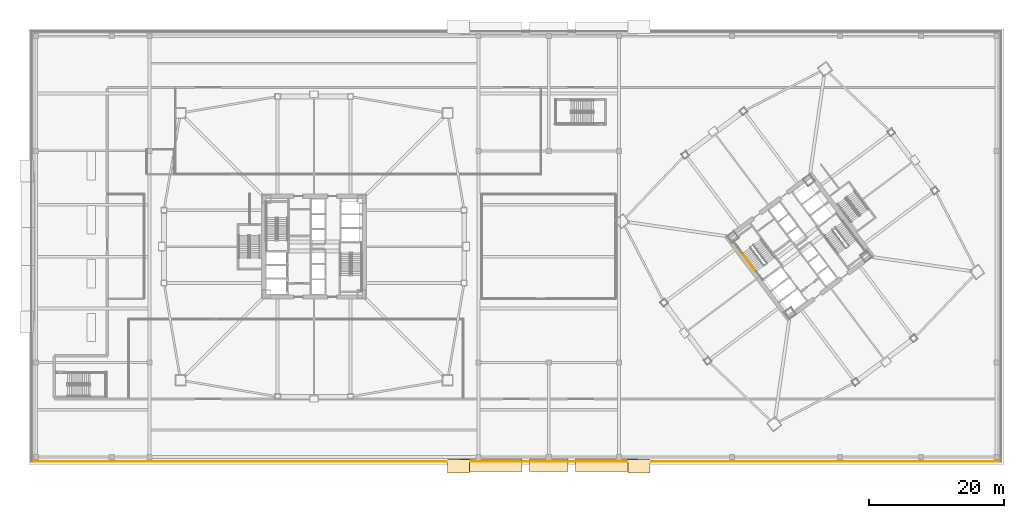
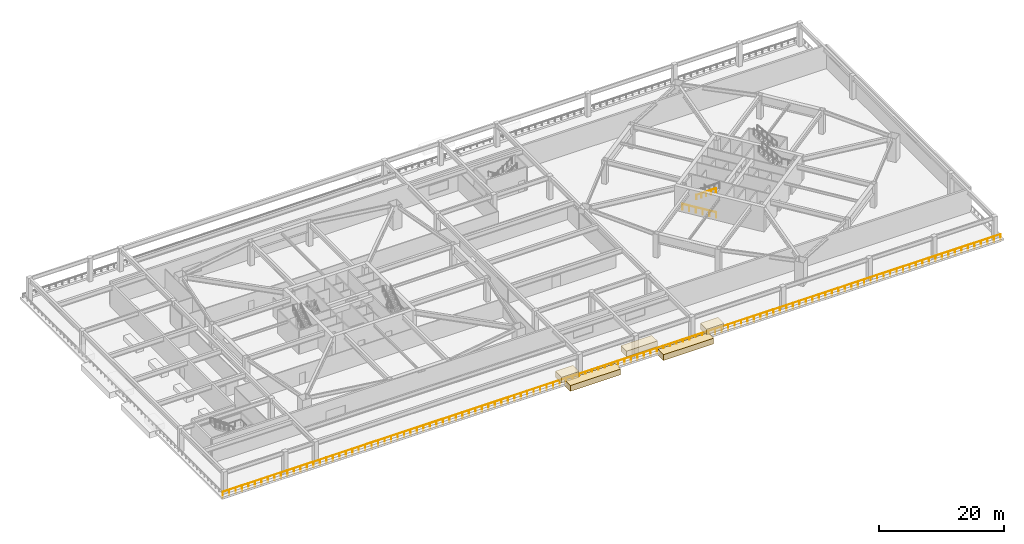
# One storey, part 17 of 21: 5 coverings, 3 railings.
"""IFC4 building model written with IfcOpenShell, lengths in metres."""

import ifcopenshell
import ifcopenshell.guid

model = None  # the IFC model being written
_history = None  # IfcOwnerHistory: only IFC2X3 demands one
_inside = {}  # id of a spatial element -> (the spatial element, [elements in it])
_under = {}  # id of a project, library or spatial element -> (it, [spatial elements below it])
_declared = {}  # id of a project -> (the project, [libraries it declares])
_typed = {}  # id of a type object -> (the type object, [elements of that type])
_made_of = {}  # id of a material, layer set ... -> (it, [elements and type objects made of it])


def new_model(schema):
    """Start an empty IFC model of exactly this schema.

    Asked for "IFC4X3", IfcOpenShell would pick the latest addendum, in which some entities
    have other attributes; the version numbers below select the first issue.
    IFC2X3 requires an IfcOwnerHistory on every rooted entity: one is made here for all.
    """
    global model, _history
    if schema == "IFC4X3":
        model = ifcopenshell.file(schema_version=(4, 3, 0, 0))
    else:
        model = ifcopenshell.file(schema=schema)
    _inside.clear()
    _under.clear()
    _declared.clear()
    _typed.clear()
    _made_of.clear()
    _history = None
    if model.schema == "IFC2X3":
        org = make("IfcOrganization", Name="unknown")
        user = make(
            "IfcPersonAndOrganization",
            ThePerson=make("IfcPerson", FamilyName="unknown"),
            TheOrganization=org,
        )
        app = make(
            "IfcApplication",
            ApplicationDeveloper=org,
            Version="unknown",
            ApplicationFullName="unknown",
            ApplicationIdentifier="unknown",
        )
        _history = make(
            "IfcOwnerHistory",
            OwningUser=user,
            OwningApplication=app,
            ChangeAction="ADDED",
            CreationDate=0,
        )
    return model


def make(cls, **values):
    """One entity of the class cls with the attributes given. An attribute that is None is left unset."""
    return model.create_entity(
        cls, **{name: value for name, value in values.items() if value is not None}
    )


def rooted(cls, **values):
    """An entity with a GlobalId (a new one), such as an element, a storey or a relation."""
    return make(cls, GlobalId=ifcopenshell.guid.new(), OwnerHistory=_history, **values)


def si_unit(unit_type, name, prefix=None):
    """IfcSIUnit, for example si_unit("LENGTHUNIT", "METRE", prefix="MILLI")."""
    return make("IfcSIUnit", UnitType=unit_type, Prefix=prefix, Name=name)


def assignment(units):
    """IfcUnitAssignment: the units of a project."""
    return None if units is None else make("IfcUnitAssignment", Units=units)


def point(xyz):
    """IfcCartesianPoint."""
    return None if xyz is None else make("IfcCartesianPoint", Coordinates=xyz)


def direction(xyz):
    """IfcDirection."""
    return None if xyz is None else make("IfcDirection", DirectionRatios=xyz)


def frame(location, z_axis=None, x_axis=None):
    """IfcAxis2Placement3D, a coordinate frame: its origin and axes. An axis left out is left unset."""
    return make(
        "IfcAxis2Placement3D",
        Location=point(location),
        Axis=direction(z_axis),
        RefDirection=direction(x_axis),
    )


def frame_2d(location, x_axis=None):
    """IfcAxis2Placement2D, a coordinate frame in the plane: its origin and x axis."""
    return make(
        "IfcAxis2Placement2D", Location=point(location), RefDirection=direction(x_axis)
    )


def origin():
    """The frame at (0, 0, 0) with its axes left unset."""
    return frame((0.0, 0.0, 0.0))


def origin_2d():
    """The frame at (0, 0) in the plane with its x axis left unset."""
    return frame_2d((0.0, 0.0))


def place(relative_to, where):
    """IfcLocalPlacement: puts the frame where relative to a parent placement (None: the world)."""
    return make(
        "IfcLocalPlacement", PlacementRelTo=relative_to, RelativePlacement=where
    )


def context(
    kind, dimensions, precision=None, world=None, true_north=None, identifier=None
):
    """IfcGeometricRepresentationContext, for example the 3D "Model" context."""
    return make(
        "IfcGeometricRepresentationContext",
        ContextIdentifier=identifier,
        ContextType=kind,
        CoordinateSpaceDimension=dimensions,
        Precision=precision,
        WorldCoordinateSystem=world,
        TrueNorth=true_north,
    )


def subcontext(parent, identifier, kind, view, scale=None):
    """IfcGeometricRepresentationSubContext, for example "Body" below "Model"."""
    return make(
        "IfcGeometricRepresentationSubContext",
        ContextIdentifier=identifier,
        ContextType=kind,
        ParentContext=parent,
        TargetScale=scale,
        TargetView=view,
    )


def project(units=None, contexts=None):
    """IfcProject with its units and contexts."""
    return rooted(
        "IfcProject",
        Name="project",
        RepresentationContexts=contexts,
        UnitsInContext=assignment(units),
    )


def spatial(cls, under=None, at=None, **own):
    """A site, building, storey or space (cls), placed at a placement, below another one or the project."""
    s = rooted(cls, ObjectPlacement=at, **own)
    if under is not None:
        _under.setdefault(under.id(), (under, []))[1].append(s)
    return s


def profile(cls, at=None, kind="AREA", **sizes):
    """A parametric profile (cls). Its sizes go by their IFC names, for example OverallWidth=200.0."""
    return make(cls, ProfileType=kind, Position=at, **sizes)


def rectangle(**sizes):
    """IfcRectangleProfileDef."""
    return profile("IfcRectangleProfileDef", **sizes)


def extrude(swept, where, along, depth):
    """IfcExtrudedAreaSolid: the profile swept, set in the frame where, extruded along a direction by depth."""
    return make(
        "IfcExtrudedAreaSolid",
        SweptArea=swept,
        Position=where,
        ExtrudedDirection=direction(along),
        Depth=depth,
    )


def shape(context_of_items, identifier, shape_type, items):
    """IfcShapeRepresentation: the items that make up one representation, for example the "Body"."""
    return make(
        "IfcShapeRepresentation",
        ContextOfItems=context_of_items,
        RepresentationIdentifier=identifier,
        RepresentationType=shape_type,
        Items=items,
    )


def material(Name=None, Category=None):
    """IfcMaterial."""
    return make("IfcMaterial", Name=Name, Category=Category)


def layer(
    of_material, thickness, ventilated=None, Name=None, Category=None, Priority=None
):
    """IfcMaterialLayer: one layer of a wall or slab, of a material (None: an air gap)."""
    return make(
        "IfcMaterialLayer",
        Material=of_material,
        LayerThickness=thickness,
        IsVentilated=ventilated,
        Name=Name,
        Category=Category,
        Priority=Priority,
    )


def layer_set(layers, Name=None):
    """IfcMaterialLayerSet."""
    return make("IfcMaterialLayerSet", MaterialLayers=layers, LayerSetName=Name)


def made_of(thing, what):
    """Note that an element or type object is made of a material, layer set ...; save() writes the relation."""
    if what is not None:
        _made_of.setdefault(what.id(), (what, []))[1].append(thing)
    return thing


def type_object(cls, material=None, **own):
    """A type object (cls), such as IfcWallType, which elements share."""
    return made_of(rooted(cls, **own), material)


def element(
    cls,
    number,
    at=None,
    inside=None,
    cuts=None,
    type_object=None,
    material=None,
    context=None,
    identifier="Body",
    shape_type=None,
    held_by="IfcProductDefinitionShape",
    body=None,
    shapes=None,
    **own,
):
    """One element of the class cls, such as IfcWall. Its Tag is "e" and its number.

    at: its placement. inside: the storey or other place that contains it. cuts: it is an
    opening in that element (IfcRelVoidsElement). A single representation is given by context,
    identifier, shape_type and body (its items); several are given by shapes. held_by: the class
    of the entity that holds the representations. save() writes the other relations.
    """
    e = rooted(cls, Tag="e%d" % number, ObjectPlacement=at, **own)
    if body is not None:
        shapes = [shape(context, identifier, shape_type, body)]
    if shapes is not None:
        e.Representation = make(held_by, Representations=shapes)
    if inside is not None:
        _inside.setdefault(inside.id(), (inside, []))[1].append(e)
    if cuts is not None:
        rooted(
            "IfcRelVoidsElement", RelatingBuildingElement=cuts, RelatedOpeningElement=e
        )
    if type_object is not None:
        _typed.setdefault(type_object.id(), (type_object, []))[1].append(e)
    return made_of(e, material)


def aggregate(whole, parts):
    """IfcRelAggregates: a whole, such as a stair, and the parts it consists of."""
    return rooted("IfcRelAggregates", RelatingObject=whole, RelatedObjects=parts)


def save(model, path):
    """Write the relations noted so far, then the file.

    IfcRelAggregates (storeys below a building ...), IfcRelContainedInSpatialStructure (elements
    in a storey), IfcRelDefinesByType, IfcRelAssociatesMaterial and IfcRelDeclares: one each for
    every whole, place, type object, material and project.
    """
    for whole, parts in _under.values():
        aggregate(whole, parts)
    for where, things in _inside.values():
        rooted(
            "IfcRelContainedInSpatialStructure",
            RelatedElements=things,
            RelatingStructure=where,
        )
    for kind, things in _typed.values():
        rooted("IfcRelDefinesByType", RelatedObjects=things, RelatingType=kind)
    for what, things in _made_of.values():
        rooted("IfcRelAssociatesMaterial", RelatedObjects=things, RelatingMaterial=what)
    for by, libraries in _declared.values():
        rooted("IfcRelDeclares", RelatingContext=by, RelatedDefinitions=libraries)
    model.write(path)


model = new_model("IFC4")

# Units and contexts
model_context = context("Model", 3, precision=1e-05, world=origin(), true_north=direction((0.0, 1.0)))
body_context = subcontext(model_context, "Body", "Model", "MODEL_VIEW")
ifc_project = project(units=[si_unit("LENGTHUNIT", "METRE"), si_unit("AREAUNIT", "SQUARE_METRE"), si_unit("VOLUMEUNIT", "CUBIC_METRE"), si_unit("PLANEANGLEUNIT", "RADIAN"), si_unit("MASSUNIT", "GRAM", prefix="KILO")], contexts=[model_context])

# Site, building, storey
site_placement = place(None, origin())
site = spatial("IfcSite", under=ifc_project, at=site_placement, CompositionType="ELEMENT")
building_placement = place(site_placement, origin())
building = spatial("IfcBuilding", under=site, at=building_placement, Name="Tashvorn Skyway Center", CompositionType="ELEMENT")
storey_placement = place(building_placement, frame((0.0, 0.0, 19.800048828125)))
storey = spatial("IfcBuildingStorey", under=building, at=storey_placement, Name="L04", CompositionType="ELEMENT", Elevation=19.800048828125)

# Coverings
ifc_material_1 = material(Name="Precast concrete C40/50", Category="concrete")
ifc_layer = layer(ifc_material_1, 0.35009765625)
ifc_layer_set = layer_set([ifc_layer], Name="Precast concrete C40/50")
covering_type = type_object("IfcCoveringType", Name="COV-STONE-TRIM", PredefinedType="CLADDING", material=ifc_layer_set)
for number, where, z_axis, x_axis, name in (
    (1, (63.39990234375, -0.60009765625, 1.77490234375), (0.0, 0.0, 1.0), (1.0, 0.0, 0.0), "Station Pylon Terracotta Capital SOUTH 1"),
    (2, (90.199951171875, -0.60009765625, 1.77490234375), (0.0, 0.0, 1.0), (1.0, 0.0, 0.0), "Station Pylon Terracotta Capital SOUTH 2"),
):
    element("IfcCovering", number, at=place(storey_placement, frame(where, z_axis=z_axis, x_axis=x_axis)), inside=storey, type_object=covering_type, Name=name, PredefinedType="CLADDING", context=body_context, shape_type="SweptSolid", body=[
        extrude(rectangle(XDim=3.25, YDim=2.0, at=origin_2d()), origin(), (0.0, 0.0, 1.0), 1.14990234375),
    ])
for number, where, z_axis, x_axis, name in (
    (3, (68.199951171875, -0.419921875, -0.610107421875), (0.0, 0.0, 1.0), (1.0, 0.0, 0.0), "Station Split-Pediment Terracotta Crest SOUTH L"),
    (4, (85.39990234375, -0.419921875, -0.610107421875), (0.0, 0.0, 1.0), (1.0, 0.0, 0.0), "Station Split-Pediment Terracotta Crest SOUTH R"),
):
    element("IfcCovering", number, at=place(storey_placement, frame(where, z_axis=z_axis, x_axis=x_axis)), inside=storey, type_object=covering_type, Name=name, PredefinedType="CLADDING", context=body_context, shape_type="SweptSolid", body=[
        extrude(rectangle(XDim=9.300048828125, YDim=1.800048828125, at=origin_2d()), origin(), (0.0, 0.0, 1.0), 1.1201171875),
    ])
covering_placement = place(storey_placement, frame((76.800048828125, -0.419921875, 2.489990234375), z_axis=(0.0, 0.0, 1.0), x_axis=(1.0, 0.0, 0.0)))
element("IfcCovering", 5, at=covering_placement, inside=storey, type_object=covering_type, Name="Station Split-Pediment Terracotta Crest SOUTH KEY", PredefinedType="CLADDING", context=body_context, shape_type="SweptSolid", body=[
    extrude(rectangle(XDim=5.699951171875, YDim=1.800048828125, at=origin_2d()), origin(), (0.0, 0.0, 1.0), 1.1201171875),
])

# Railings
ifc_material_2 = material(Name="Galvanized steel S355", Category="steel")
railing_type_1 = type_object("IfcRailingType", Name="RAIL-GUARD-1120", PredefinedType="GUARDRAIL", material=ifc_material_2)
railing_1_placement = place(storey_placement, frame((0.1201171875, 0.1201171875, 0.0)))
element("IfcRailing", 6, at=railing_1_placement, inside=storey, type_object=railing_type_1, Name="L04 Stepped Podium Colonnade Terrace Guardrail 01", PredefinedType="GUARDRAIL", context=body_context, shape_type="SweptSolid", body=[
    extrude(rectangle(XDim=0.048095703125, YDim=0.048095703125, at=origin_2d()), frame((0.0, 0.0, 1.09619140625), z_axis=(1.0, 0.0, 0.0), x_axis=(0.0, 1.0, 0.0)), (0.0, 0.0, 1.0), 143.759765625),
    extrude(rectangle(XDim=0.0419921875, YDim=0.0419921875, at=origin_2d()), origin(), (0.0, 0.0, 1.0), 1.072021484375),
    extrude(rectangle(XDim=0.0419921875, YDim=0.0419921875, at=origin_2d()), frame((1.197998046875, 0.0, 0.0)), (0.0, 0.0, 1.0), 1.072021484375),
    extrude(rectangle(XDim=0.0419921875, YDim=0.0419921875, at=origin_2d()), frame((2.39599609375, 0.0, 0.0)), (0.0, 0.0, 1.0), 1.072021484375),
    extrude(rectangle(XDim=0.0419921875, YDim=0.0419921875, at=origin_2d()), frame((3.593994140625, 0.0, 0.0)), (0.0, 0.0, 1.0), 1.072021484375),
    extrude(rectangle(XDim=0.0419921875, YDim=0.0419921875, at=origin_2d()), frame((4.7919921875, 0.0, 0.0)), (0.0, 0.0, 1.0), 1.072021484375),
    extrude(rectangle(XDim=0.0419921875, YDim=0.0419921875, at=origin_2d()), frame((5.989990234375, 0.0, 0.0)), (0.0, 0.0, 1.0), 1.072021484375),
    extrude(rectangle(XDim=0.0419921875, YDim=0.0419921875, at=origin_2d()), frame((7.18798828125, 0.0, 0.0)), (0.0, 0.0, 1.0), 1.072021484375),
    extrude(rectangle(XDim=0.0419921875, YDim=0.0419921875, at=origin_2d()), frame((8.385986328125, 0.0, 0.0)), (0.0, 0.0, 1.0), 1.072021484375),
    extrude(rectangle(XDim=0.0419921875, YDim=0.0419921875, at=origin_2d()), frame((9.583984375, 0.0, 0.0)), (0.0, 0.0, 1.0), 1.072021484375),
    extrude(rectangle(XDim=0.0419921875, YDim=0.0419921875, at=origin_2d()), frame((10.781982421875, 0.0, 0.0)), (0.0, 0.0, 1.0), 1.072021484375),
    extrude(rectangle(XDim=0.0419921875, YDim=0.0419921875, at=origin_2d()), frame((11.97998046875, 0.0, 0.0)), (0.0, 0.0, 1.0), 1.072021484375),
    extrude(rectangle(XDim=0.0419921875, YDim=0.0419921875, at=origin_2d()), frame((13.177978515625, 0.0, 0.0)), (0.0, 0.0, 1.0), 1.072021484375),
    extrude(rectangle(XDim=0.0419921875, YDim=0.0419921875, at=origin_2d()), frame((14.3759765625, 0.0, 0.0)), (0.0, 0.0, 1.0), 1.072021484375),
    extrude(rectangle(XDim=0.0419921875, YDim=0.0419921875, at=origin_2d()), frame((15.573974609375, 0.0, 0.0)), (0.0, 0.0, 1.0), 1.072021484375),
    extrude(rectangle(XDim=0.0419921875, YDim=0.0419921875, at=origin_2d()), frame((16.77197265625, 0.0, 0.0)), (0.0, 0.0, 1.0), 1.072021484375),
    extrude(rectangle(XDim=0.0419921875, YDim=0.0419921875, at=origin_2d()), frame((17.969970703125, 0.0, 0.0)), (0.0, 0.0, 1.0), 1.072021484375),
    extrude(rectangle(XDim=0.0419921875, YDim=0.0419921875, at=origin_2d()), frame((19.16796875, 0.0, 0.0)), (0.0, 0.0, 1.0), 1.072021484375),
    extrude(rectangle(XDim=0.0419921875, YDim=0.0419921875, at=origin_2d()), frame((20.365966796875, 0.0, 0.0)), (0.0, 0.0, 1.0), 1.072021484375),
    extrude(rectangle(XDim=0.0419921875, YDim=0.0419921875, at=origin_2d()), frame((21.56396484375, 0.0, 0.0)), (0.0, 0.0, 1.0), 1.072021484375),
    extrude(rectangle(XDim=0.0419921875, YDim=0.0419921875, at=origin_2d()), frame((22.761962890625, 0.0, 0.0)), (0.0, 0.0, 1.0), 1.072021484375),
    extrude(rectangle(XDim=0.0419921875, YDim=0.0419921875, at=origin_2d()), frame((23.9599609375, 0.0, 0.0)), (0.0, 0.0, 1.0), 1.072021484375),
    extrude(rectangle(XDim=0.0419921875, YDim=0.0419921875, at=origin_2d()), frame((25.157958984375, 0.0, 0.0)), (0.0, 0.0, 1.0), 1.072021484375),
    extrude(rectangle(XDim=0.0419921875, YDim=0.0419921875, at=origin_2d()), frame((26.35595703125, 0.0, 0.0)), (0.0, 0.0, 1.0), 1.072021484375),
    extrude(rectangle(XDim=0.0419921875, YDim=0.0419921875, at=origin_2d()), frame((27.553955078125, 0.0, 0.0)), (0.0, 0.0, 1.0), 1.072021484375),
    extrude(rectangle(XDim=0.0419921875, YDim=0.0419921875, at=origin_2d()), frame((28.751953125, 0.0, 0.0)), (0.0, 0.0, 1.0), 1.072021484375),
    extrude(rectangle(XDim=0.0419921875, YDim=0.0419921875, at=origin_2d()), frame((29.949951171875, 0.0, 0.0)), (0.0, 0.0, 1.0), 1.072021484375),
    extrude(rectangle(XDim=0.0419921875, YDim=0.0419921875, at=origin_2d()), frame((31.14794921875, 0.0, 0.0)), (0.0, 0.0, 1.0), 1.072021484375),
    extrude(rectangle(XDim=0.0419921875, YDim=0.0419921875, at=origin_2d()), frame((32.345947265625, 0.0, 0.0)), (0.0, 0.0, 1.0), 1.072021484375),
    extrude(rectangle(XDim=0.0419921875, YDim=0.0419921875, at=origin_2d()), frame((33.5439453125, 0.0, 0.0)), (0.0, 0.0, 1.0), 1.072021484375),
    extrude(rectangle(XDim=0.0419921875, YDim=0.0419921875, at=origin_2d()), frame((34.741943359375, 0.0, 0.0)), (0.0, 0.0, 1.0), 1.072021484375),
    extrude(rectangle(XDim=0.0419921875, YDim=0.0419921875, at=origin_2d()), frame((35.93994140625, 0.0, 0.0)), (0.0, 0.0, 1.0), 1.072021484375),
    extrude(rectangle(XDim=0.0419921875, YDim=0.0419921875, at=origin_2d()), frame((37.137939453125, 0.0, 0.0)), (0.0, 0.0, 1.0), 1.072021484375),
    extrude(rectangle(XDim=0.0419921875, YDim=0.0419921875, at=origin_2d()), frame((38.3359375, 0.0, 0.0)), (0.0, 0.0, 1.0), 1.072021484375),
    extrude(rectangle(XDim=0.0419921875, YDim=0.0419921875, at=origin_2d()), frame((39.533935546875, 0.0, 0.0)), (0.0, 0.0, 1.0), 1.072021484375),
    extrude(rectangle(XDim=0.0419921875, YDim=0.0419921875, at=origin_2d()), frame((40.73193359375, 0.0, 0.0)), (0.0, 0.0, 1.0), 1.072021484375),
    extrude(rectangle(XDim=0.0419921875, YDim=0.0419921875, at=origin_2d()), frame((41.929931640625, 0.0, 0.0)), (0.0, 0.0, 1.0), 1.072021484375),
    extrude(rectangle(XDim=0.0419921875, YDim=0.0419921875, at=origin_2d()), frame((43.1279296875, 0.0, 0.0)), (0.0, 0.0, 1.0), 1.072021484375),
    extrude(rectangle(XDim=0.0419921875, YDim=0.0419921875, at=origin_2d()), frame((44.325927734375, 0.0, 0.0)), (0.0, 0.0, 1.0), 1.072021484375),
    extrude(rectangle(XDim=0.0419921875, YDim=0.0419921875, at=origin_2d()), frame((45.52392578125, 0.0, 0.0)), (0.0, 0.0, 1.0), 1.072021484375),
    extrude(rectangle(XDim=0.0419921875, YDim=0.0419921875, at=origin_2d()), frame((46.721923828125, 0.0, 0.0)), (0.0, 0.0, 1.0), 1.072021484375),
    extrude(rectangle(XDim=0.0419921875, YDim=0.0419921875, at=origin_2d()), frame((47.919921875, 0.0, 0.0)), (0.0, 0.0, 1.0), 1.072021484375),
    extrude(rectangle(XDim=0.0419921875, YDim=0.0419921875, at=origin_2d()), frame((49.117919921875, 0.0, 0.0)), (0.0, 0.0, 1.0), 1.072021484375),
    extrude(rectangle(XDim=0.0419921875, YDim=0.0419921875, at=origin_2d()), frame((50.31591796875, 0.0, 0.0)), (0.0, 0.0, 1.0), 1.072021484375),
    extrude(rectangle(XDim=0.0419921875, YDim=0.0419921875, at=origin_2d()), frame((51.513916015625, 0.0, 0.0)), (0.0, 0.0, 1.0), 1.072021484375),
    extrude(rectangle(XDim=0.0419921875, YDim=0.0419921875, at=origin_2d()), frame((52.7119140625, 0.0, 0.0)), (0.0, 0.0, 1.0), 1.072021484375),
    extrude(rectangle(XDim=0.0419921875, YDim=0.0419921875, at=origin_2d()), frame((53.909912109375, 0.0, 0.0)), (0.0, 0.0, 1.0), 1.072021484375),
    extrude(rectangle(XDim=0.0419921875, YDim=0.0419921875, at=origin_2d()), frame((55.10791015625, 0.0, 0.0)), (0.0, 0.0, 1.0), 1.072021484375),
    extrude(rectangle(XDim=0.0419921875, YDim=0.0419921875, at=origin_2d()), frame((56.305908203125, 0.0, 0.0)), (0.0, 0.0, 1.0), 1.072021484375),
    extrude(rectangle(XDim=0.0419921875, YDim=0.0419921875, at=origin_2d()), frame((57.50390625, 0.0, 0.0)), (0.0, 0.0, 1.0), 1.072021484375),
    extrude(rectangle(XDim=0.0419921875, YDim=0.0419921875, at=origin_2d()), frame((58.701904296875, 0.0, 0.0)), (0.0, 0.0, 1.0), 1.072021484375),
    extrude(rectangle(XDim=0.0419921875, YDim=0.0419921875, at=origin_2d()), frame((59.89990234375, 0.0, 0.0)), (0.0, 0.0, 1.0), 1.072021484375),
    extrude(rectangle(XDim=0.0419921875, YDim=0.0419921875, at=origin_2d()), frame((61.097900390625, 0.0, 0.0)), (0.0, 0.0, 1.0), 1.072021484375),
    extrude(rectangle(XDim=0.0419921875, YDim=0.0419921875, at=origin_2d()), frame((62.2958984375, 0.0, 0.0)), (0.0, 0.0, 1.0), 1.072021484375),
    extrude(rectangle(XDim=0.0419921875, YDim=0.0419921875, at=origin_2d()), frame((63.493896484375, 0.0, 0.0)), (0.0, 0.0, 1.0), 1.072021484375),
    extrude(rectangle(XDim=0.0419921875, YDim=0.0419921875, at=origin_2d()), frame((64.69189453125, 0.0, 0.0)), (0.0, 0.0, 1.0), 1.072021484375),
    extrude(rectangle(XDim=0.0419921875, YDim=0.0419921875, at=origin_2d()), frame((65.889892578125, 0.0, 0.0)), (0.0, 0.0, 1.0), 1.072021484375),
    extrude(rectangle(XDim=0.0419921875, YDim=0.0419921875, at=origin_2d()), frame((67.087890625, 0.0, 0.0)), (0.0, 0.0, 1.0), 1.072021484375),
    extrude(rectangle(XDim=0.0419921875, YDim=0.0419921875, at=origin_2d()), frame((68.285888671875, 0.0, 0.0)), (0.0, 0.0, 1.0), 1.072021484375),
    extrude(rectangle(XDim=0.0419921875, YDim=0.0419921875, at=origin_2d()), frame((69.48388671875, 0.0, 0.0)), (0.0, 0.0, 1.0), 1.072021484375),
    extrude(rectangle(XDim=0.0419921875, YDim=0.0419921875, at=origin_2d()), frame((70.681884765625, 0.0, 0.0)), (0.0, 0.0, 1.0), 1.072021484375),
    extrude(rectangle(XDim=0.0419921875, YDim=0.0419921875, at=origin_2d()), frame((71.8798828125, 0.0, 0.0)), (0.0, 0.0, 1.0), 1.072021484375),
    extrude(rectangle(XDim=0.0419921875, YDim=0.0419921875, at=origin_2d()), frame((73.077880859375, 0.0, 0.0)), (0.0, 0.0, 1.0), 1.072021484375),
    extrude(rectangle(XDim=0.0419921875, YDim=0.0419921875, at=origin_2d()), frame((74.27587890625, 0.0, 0.0)), (0.0, 0.0, 1.0), 1.072021484375),
    extrude(rectangle(XDim=0.0419921875, YDim=0.0419921875, at=origin_2d()), frame((75.473876953125, 0.0, 0.0)), (0.0, 0.0, 1.0), 1.072021484375),
    extrude(rectangle(XDim=0.0419921875, YDim=0.0419921875, at=origin_2d()), frame((76.671875, 0.0, 0.0)), (0.0, 0.0, 1.0), 1.072021484375),
    extrude(rectangle(XDim=0.0419921875, YDim=0.0419921875, at=origin_2d()), frame((77.869873046875, 0.0, 0.0)), (0.0, 0.0, 1.0), 1.072021484375),
    extrude(rectangle(XDim=0.0419921875, YDim=0.0419921875, at=origin_2d()), frame((79.06787109375, 0.0, 0.0)), (0.0, 0.0, 1.0), 1.072021484375),
    extrude(rectangle(XDim=0.0419921875, YDim=0.0419921875, at=origin_2d()), frame((80.265869140625, 0.0, 0.0)), (0.0, 0.0, 1.0), 1.072021484375),
    extrude(rectangle(XDim=0.0419921875, YDim=0.0419921875, at=origin_2d()), frame((81.4638671875, 0.0, 0.0)), (0.0, 0.0, 1.0), 1.072021484375),
    extrude(rectangle(XDim=0.0419921875, YDim=0.0419921875, at=origin_2d()), frame((82.661865234375, 0.0, 0.0)), (0.0, 0.0, 1.0), 1.072021484375),
    extrude(rectangle(XDim=0.0419921875, YDim=0.0419921875, at=origin_2d()), frame((83.85986328125, 0.0, 0.0)), (0.0, 0.0, 1.0), 1.072021484375),
    extrude(rectangle(XDim=0.0419921875, YDim=0.0419921875, at=origin_2d()), frame((85.057861328125, 0.0, 0.0)), (0.0, 0.0, 1.0), 1.072021484375),
    extrude(rectangle(XDim=0.0419921875, YDim=0.0419921875, at=origin_2d()), frame((86.255859375, 0.0, 0.0)), (0.0, 0.0, 1.0), 1.072021484375),
    extrude(rectangle(XDim=0.0419921875, YDim=0.0419921875, at=origin_2d()), frame((87.453857421875, 0.0, 0.0)), (0.0, 0.0, 1.0), 1.072021484375),
    extrude(rectangle(XDim=0.0419921875, YDim=0.0419921875, at=origin_2d()), frame((88.65185546875, 0.0, 0.0)), (0.0, 0.0, 1.0), 1.072021484375),
    extrude(rectangle(XDim=0.0419921875, YDim=0.0419921875, at=origin_2d()), frame((89.849853515625, 0.0, 0.0)), (0.0, 0.0, 1.0), 1.072021484375),
    extrude(rectangle(XDim=0.0419921875, YDim=0.0419921875, at=origin_2d()), frame((91.0478515625, 0.0, 0.0)), (0.0, 0.0, 1.0), 1.072021484375),
    extrude(rectangle(XDim=0.0419921875, YDim=0.0419921875, at=origin_2d()), frame((92.245849609375, 0.0, 0.0)), (0.0, 0.0, 1.0), 1.072021484375),
    extrude(rectangle(XDim=0.0419921875, YDim=0.0419921875, at=origin_2d()), frame((93.44384765625, 0.0, 0.0)), (0.0, 0.0, 1.0), 1.072021484375),
    extrude(rectangle(XDim=0.0419921875, YDim=0.0419921875, at=origin_2d()), frame((94.641845703125, 0.0, 0.0)), (0.0, 0.0, 1.0), 1.072021484375),
    extrude(rectangle(XDim=0.0419921875, YDim=0.0419921875, at=origin_2d()), frame((95.83984375, 0.0, 0.0)), (0.0, 0.0, 1.0), 1.072021484375),
    extrude(rectangle(XDim=0.0419921875, YDim=0.0419921875, at=origin_2d()), frame((97.037841796875, 0.0, 0.0)), (0.0, 0.0, 1.0), 1.072021484375),
    extrude(rectangle(XDim=0.0419921875, YDim=0.0419921875, at=origin_2d()), frame((98.23583984375, 0.0, 0.0)), (0.0, 0.0, 1.0), 1.072021484375),
    extrude(rectangle(XDim=0.0419921875, YDim=0.0419921875, at=origin_2d()), frame((99.433837890625, 0.0, 0.0)), (0.0, 0.0, 1.0), 1.072021484375),
    extrude(rectangle(XDim=0.0419921875, YDim=0.0419921875, at=origin_2d()), frame((100.6318359375, 0.0, 0.0)), (0.0, 0.0, 1.0), 1.072021484375),
    extrude(rectangle(XDim=0.0419921875, YDim=0.0419921875, at=origin_2d()), frame((101.829833984375, 0.0, 0.0)), (0.0, 0.0, 1.0), 1.072021484375),
    extrude(rectangle(XDim=0.0419921875, YDim=0.0419921875, at=origin_2d()), frame((103.02783203125, 0.0, 0.0)), (0.0, 0.0, 1.0), 1.072021484375),
    extrude(rectangle(XDim=0.0419921875, YDim=0.0419921875, at=origin_2d()), frame((104.225830078125, 0.0, 0.0)), (0.0, 0.0, 1.0), 1.072021484375),
    extrude(rectangle(XDim=0.0419921875, YDim=0.0419921875, at=origin_2d()), frame((105.423828125, 0.0, 0.0)), (0.0, 0.0, 1.0), 1.072021484375),
    extrude(rectangle(XDim=0.0419921875, YDim=0.0419921875, at=origin_2d()), frame((106.621826171875, 0.0, 0.0)), (0.0, 0.0, 1.0), 1.072021484375),
    extrude(rectangle(XDim=0.0419921875, YDim=0.0419921875, at=origin_2d()), frame((107.81982421875, 0.0, 0.0)), (0.0, 0.0, 1.0), 1.072021484375),
    extrude(rectangle(XDim=0.0419921875, YDim=0.0419921875, at=origin_2d()), frame((109.017822265625, 0.0, 0.0)), (0.0, 0.0, 1.0), 1.072021484375),
    extrude(rectangle(XDim=0.0419921875, YDim=0.0419921875, at=origin_2d()), frame((110.2158203125, 0.0, 0.0)), (0.0, 0.0, 1.0), 1.072021484375),
    extrude(rectangle(XDim=0.0419921875, YDim=0.0419921875, at=origin_2d()), frame((111.413818359375, 0.0, 0.0)), (0.0, 0.0, 1.0), 1.072021484375),
    extrude(rectangle(XDim=0.0419921875, YDim=0.0419921875, at=origin_2d()), frame((112.61181640625, 0.0, 0.0)), (0.0, 0.0, 1.0), 1.072021484375),
    extrude(rectangle(XDim=0.0419921875, YDim=0.0419921875, at=origin_2d()), frame((113.809814453125, 0.0, 0.0)), (0.0, 0.0, 1.0), 1.072021484375),
    extrude(rectangle(XDim=0.0419921875, YDim=0.0419921875, at=origin_2d()), frame((115.0078125, 0.0, 0.0)), (0.0, 0.0, 1.0), 1.072021484375),
    extrude(rectangle(XDim=0.0419921875, YDim=0.0419921875, at=origin_2d()), frame((116.205810546875, 0.0, 0.0)), (0.0, 0.0, 1.0), 1.072021484375),
    extrude(rectangle(XDim=0.0419921875, YDim=0.0419921875, at=origin_2d()), frame((117.40380859375, 0.0, 0.0)), (0.0, 0.0, 1.0), 1.072021484375),
    extrude(rectangle(XDim=0.0419921875, YDim=0.0419921875, at=origin_2d()), frame((118.601806640625, 0.0, 0.0)), (0.0, 0.0, 1.0), 1.072021484375),
    extrude(rectangle(XDim=0.0419921875, YDim=0.0419921875, at=origin_2d()), frame((119.7998046875, 0.0, 0.0)), (0.0, 0.0, 1.0), 1.072021484375),
    extrude(rectangle(XDim=0.0419921875, YDim=0.0419921875, at=origin_2d()), frame((120.997802734375, 0.0, 0.0)), (0.0, 0.0, 1.0), 1.072021484375),
    extrude(rectangle(XDim=0.0419921875, YDim=0.0419921875, at=origin_2d()), frame((122.19580078125, 0.0, 0.0)), (0.0, 0.0, 1.0), 1.072021484375),
    extrude(rectangle(XDim=0.0419921875, YDim=0.0419921875, at=origin_2d()), frame((123.393798828125, 0.0, 0.0)), (0.0, 0.0, 1.0), 1.072021484375),
    extrude(rectangle(XDim=0.0419921875, YDim=0.0419921875, at=origin_2d()), frame((124.591796875, 0.0, 0.0)), (0.0, 0.0, 1.0), 1.072021484375),
    extrude(rectangle(XDim=0.0419921875, YDim=0.0419921875, at=origin_2d()), frame((125.789794921875, 0.0, 0.0)), (0.0, 0.0, 1.0), 1.072021484375),
    extrude(rectangle(XDim=0.0419921875, YDim=0.0419921875, at=origin_2d()), frame((126.98779296875, 0.0, 0.0)), (0.0, 0.0, 1.0), 1.072021484375),
    extrude(rectangle(XDim=0.0419921875, YDim=0.0419921875, at=origin_2d()), frame((128.185791015625, 0.0, 0.0)), (0.0, 0.0, 1.0), 1.072021484375),
    extrude(rectangle(XDim=0.0419921875, YDim=0.0419921875, at=origin_2d()), frame((129.3837890625, 0.0, 0.0)), (0.0, 0.0, 1.0), 1.072021484375),
    extrude(rectangle(XDim=0.0419921875, YDim=0.0419921875, at=origin_2d()), frame((130.581787109375, 0.0, 0.0)), (0.0, 0.0, 1.0), 1.072021484375),
    extrude(rectangle(XDim=0.0419921875, YDim=0.0419921875, at=origin_2d()), frame((131.77978515625, 0.0, 0.0)), (0.0, 0.0, 1.0), 1.072021484375),
    extrude(rectangle(XDim=0.0419921875, YDim=0.0419921875, at=origin_2d()), frame((132.977783203125, 0.0, 0.0)), (0.0, 0.0, 1.0), 1.072021484375),
    extrude(rectangle(XDim=0.0419921875, YDim=0.0419921875, at=origin_2d()), frame((134.17578125, 0.0, 0.0)), (0.0, 0.0, 1.0), 1.072021484375),
    extrude(rectangle(XDim=0.0419921875, YDim=0.0419921875, at=origin_2d()), frame((135.373779296875, 0.0, 0.0)), (0.0, 0.0, 1.0), 1.072021484375),
    extrude(rectangle(XDim=0.0419921875, YDim=0.0419921875, at=origin_2d()), frame((136.57177734375, 0.0, 0.0)), (0.0, 0.0, 1.0), 1.072021484375),
    extrude(rectangle(XDim=0.0419921875, YDim=0.0419921875, at=origin_2d()), frame((137.769775390625, 0.0, 0.0)), (0.0, 0.0, 1.0), 1.072021484375),
    extrude(rectangle(XDim=0.0419921875, YDim=0.0419921875, at=origin_2d()), frame((138.9677734375, 0.0, 0.0)), (0.0, 0.0, 1.0), 1.072021484375),
    extrude(rectangle(XDim=0.0419921875, YDim=0.0419921875, at=origin_2d()), frame((140.165771484375, 0.0, 0.0)), (0.0, 0.0, 1.0), 1.072021484375),
    extrude(rectangle(XDim=0.0419921875, YDim=0.0419921875, at=origin_2d()), frame((141.36376953125, 0.0, 0.0)), (0.0, 0.0, 1.0), 1.072021484375),
    extrude(rectangle(XDim=0.0419921875, YDim=0.0419921875, at=origin_2d()), frame((142.561767578125, 0.0, 0.0)), (0.0, 0.0, 1.0), 1.072021484375),
    extrude(rectangle(XDim=0.0419921875, YDim=0.0419921875, at=origin_2d()), frame((143.759765625, 0.0, 0.0)), (0.0, 0.0, 1.0), 1.072021484375),
])
ifc_material_3 = material(Name="Brushed stainless steel 316", Category="steel")
railing_type_2 = type_object("IfcRailingType", Name="RAIL-HAND-920", PredefinedType="HANDRAIL", material=ifc_material_3)
railing_2_placement = place(storey_placement, frame((105.568115234375, 31.02587890625, 2.58447265625)))
element("IfcRailing", 7, at=railing_2_placement, inside=storey, type_object=railing_type_2, Name="L04 ST-T2-1 stair handrail 2", PredefinedType="HANDRAIL", context=body_context, shape_type="SweptSolid", body=[
    extrude(rectangle(XDim=0.048095703125, YDim=0.048095703125, at=origin_2d()), frame((0.0, 0.0, 0.8759765625), z_axis=(0.500880924698, -0.667881673844, 0.550501924626), x_axis=(0.800017438734, 0.59997674765, 0.0)), (0.0, 0.0, 1.0), 4.024658203125),
    extrude(rectangle(XDim=0.0419921875, YDim=0.0419921875, at=origin_2d()), origin(), (0.0, 0.0, 1.0), 0.851806640625),
    extrude(rectangle(XDim=0.0419921875, YDim=0.0419921875, at=origin_2d()), frame((0.50390625, -0.671875, 0.553955078125)), (0.0, 0.0, 1.0), 0.851806640625),
    extrude(rectangle(XDim=0.0419921875, YDim=0.0419921875, at=origin_2d()), frame((1.0078125, -1.343994140625, 1.10791015625)), (0.0, 0.0, 1.0), 0.851806640625),
    extrude(rectangle(XDim=0.0419921875, YDim=0.0419921875, at=origin_2d()), frame((1.511962890625, -2.01611328125, 1.66162109375)), (0.0, 0.0, 1.0), 0.851806640625),
    extrude(rectangle(XDim=0.0419921875, YDim=0.0419921875, at=origin_2d()), frame((2.015869140625, -2.68798828125, 2.215576171875)), (0.0, 0.0, 1.0), 0.851806640625),
])
ifc_material_4 = material(Name="Painted galvanized steel S355", Category="steel")
railing_type_3 = type_object("IfcRailingType", Name="RAIL-STGUARD-1100", PredefinedType="GUARDRAIL", material=ifc_material_4)
railing_3_placement = place(storey_placement, frame((107.56396484375, 28.197998046875, 0.0)))
element("IfcRailing", 8, at=railing_3_placement, inside=storey, type_object=railing_type_3, Name="L04 ST-T2-1 stair guard 7", PredefinedType="GUARDRAIL", context=body_context, shape_type="SweptSolid", body=[
    extrude(rectangle(XDim=0.048095703125, YDim=0.048095703125, at=origin_2d()), frame((0.0, 0.0, 1.076171875), z_axis=(-0.6, 0.8, 0.0), x_axis=(-0.8, -0.6, 0.0)), (0.0, 0.0, 1.0), 5.880126953125),
    extrude(rectangle(XDim=0.0419921875, YDim=0.0419921875, at=origin_2d()), origin(), (0.0, 0.0, 1.0), 1.052001953125),
    extrude(rectangle(XDim=0.0419921875, YDim=0.0419921875, at=origin_2d()), frame((-0.70556640625, 0.94091796875, 0.0)), (0.0, 0.0, 1.0), 1.052001953125),
    extrude(rectangle(XDim=0.0419921875, YDim=0.0419921875, at=origin_2d()), frame((-1.4111328125, 1.881591796875, 0.0)), (0.0, 0.0, 1.0), 1.052001953125),
    extrude(rectangle(XDim=0.0419921875, YDim=0.0419921875, at=origin_2d()), frame((-2.116943359375, 2.822509765625, 0.0)), (0.0, 0.0, 1.0), 1.052001953125),
    extrude(rectangle(XDim=0.0419921875, YDim=0.0419921875, at=origin_2d()), frame((-2.822509765625, 3.76318359375, 0.0)), (0.0, 0.0, 1.0), 1.052001953125),
    extrude(rectangle(XDim=0.0419921875, YDim=0.0419921875, at=origin_2d()), frame((-3.528076171875, 4.7041015625, 0.0)), (0.0, 0.0, 1.0), 1.052001953125),
])

save(model, "model.ifc")
